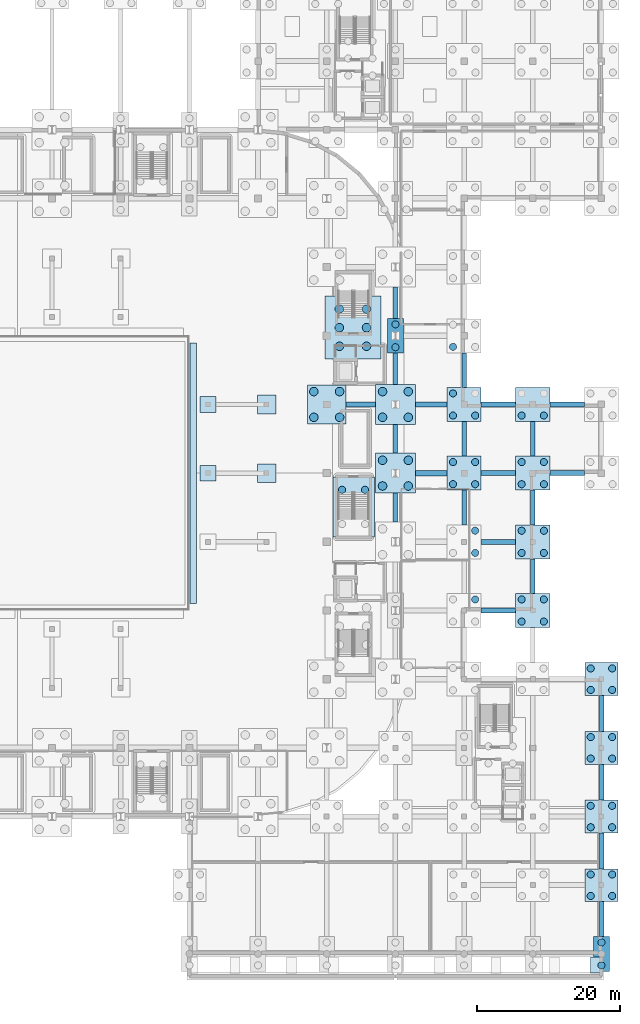
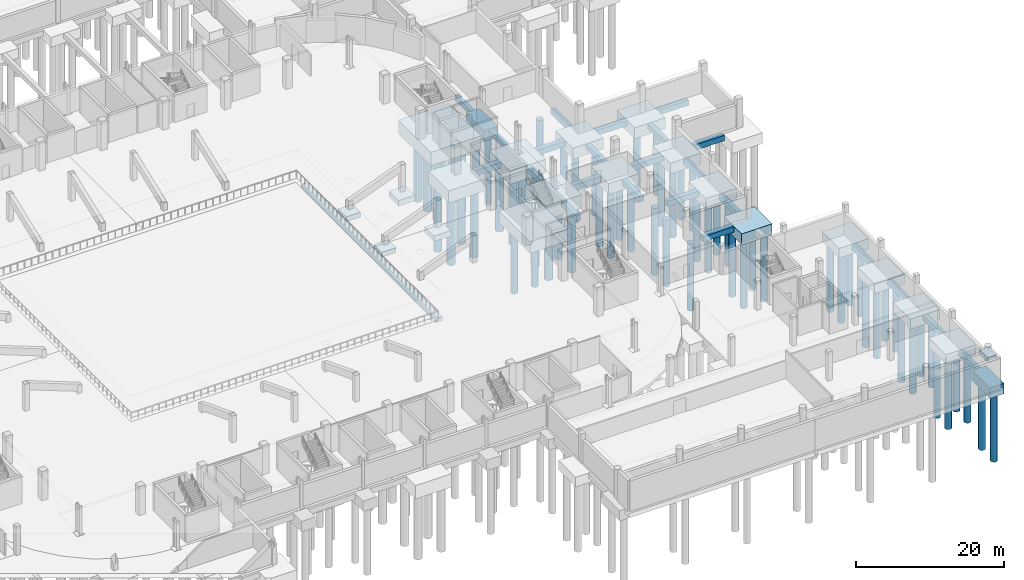
# One storey, part 8 of 67: 65 piles, 46 footings.
"""IFC4 building model written with IfcOpenShell, lengths in metres."""

from ifc_helpers import new_model, si_unit, direction, frame, origin, origin_2d, place, context, subcontext, project, spatial, polyline, rectangle, circle, outline, extrude, material, material_profile, profile_set, type_object, element, save


model = new_model("IFC4")

# Units and contexts
model_context = context("Model", 3, precision=1e-05, world=origin(), true_north=direction((0.0, 1.0)))
body_context = subcontext(model_context, "Body", "Model", "MODEL_VIEW")
ifc_project = project(units=[si_unit("LENGTHUNIT", "METRE"), si_unit("AREAUNIT", "SQUARE_METRE"), si_unit("VOLUMEUNIT", "CUBIC_METRE"), si_unit("PLANEANGLEUNIT", "RADIAN"), si_unit("MASSUNIT", "GRAM", prefix="KILO")], contexts=[model_context])

# Site, building, storey
site_placement = place(None, origin())
site = spatial("IfcSite", under=ifc_project, at=site_placement, CompositionType="ELEMENT")
building_placement = place(site_placement, origin())
building = spatial("IfcBuilding", under=site, at=building_placement, Name="Caelomonte Colonnade Arena", CompositionType="ELEMENT")
storey_placement = place(building_placement, frame((0.0, 0.0, -4.800048828125)))
storey = spatial("IfcBuildingStorey", under=building, at=storey_placement, Name="B1", CompositionType="ELEMENT", Elevation=-4.800048828125)

# Footings
ifc_material = material(Name="Concrete C40/50", Category="concrete")
footing_type_1 = type_object("IfcFootingType", Name="STR-FB-GB01", PredefinedType="FOOTING_BEAM", material=ifc_material)
footing_1_placement = place(storey_placement, frame((0.0, 0.0, -1.39990234375)))
element("IfcFooting", 1, at=footing_1_placement, inside=storey, type_object=footing_type_1, Name="Ground tie beam X (163.2..172.8, Y=67.2)", PredefinedType="FOOTING_BEAM", context=body_context, shape_type="SweptSolid", body=[
    extrude(outline(polyline([(166.0, 66.824951171875), (170.419921875, 66.824951171875), (170.419921875, 67.574951171875), (166.0, 67.574951171875), (166.0, 66.824951171875)])), origin(), (0.0, 0.0, 1.0), 0.949951171875),
])
footing_2_placement = place(storey_placement, frame((0.0, 0.0, -1.39990234375)))
element("IfcFooting", 2, at=footing_2_placement, inside=storey, type_object=footing_type_1, Name="Ground tie beam X (153.6..163.2, Y=76.8)", PredefinedType="FOOTING_BEAM", context=body_context, shape_type="SweptSolid", body=[
    extrude(outline(polyline([(156.300048828125, 76.425048828125), (160.39990234375, 76.425048828125), (160.39990234375, 77.175048828125), (156.300048828125, 77.175048828125), (156.300048828125, 76.425048828125)])), origin(), (0.0, 0.0, 1.0), 0.949951171875),
])
footing_3_placement = place(storey_placement, frame((0.0, 0.0, -1.39990234375)))
element("IfcFooting", 3, at=footing_3_placement, inside=storey, type_object=footing_type_1, Name="Ground tie beam X (163.2..172.8, Y=76.8)", PredefinedType="FOOTING_BEAM", context=body_context, shape_type="SweptSolid", body=[
    extrude(outline(polyline([(166.0, 76.425048828125), (170.419921875, 76.425048828125), (170.419921875, 77.175048828125), (166.0, 77.175048828125), (166.0, 76.425048828125)])), origin(), (0.0, 0.0, 1.0), 0.949951171875),
])
footing_type_2 = type_object("IfcFootingType", Name="STR-FB-GB02", PredefinedType="FOOTING_BEAM", material=ifc_material)
footing_4_placement = place(storey_placement, frame((0.0, 0.0, -1.349853515625)))
element("IfcFooting", 4, at=footing_4_placement, inside=storey, type_object=footing_type_2, Name="Ground tie beam X (172.8..182.4, Y=48.0)", PredefinedType="FOOTING_BEAM", context=body_context, shape_type="SweptSolid", body=[
    extrude(outline(polyline([(175.179931640625, 47.64990234375), (180.02001953125, 47.64990234375), (180.02001953125, 48.35009765625), (175.179931640625, 48.35009765625), (175.179931640625, 47.64990234375)])), origin(), (0.0, 0.0, 1.0), 0.89990234375),
])
footing_5_placement = place(storey_placement, frame((0.0, 0.0, -1.349853515625)))
element("IfcFooting", 5, at=footing_5_placement, inside=storey, type_object=footing_type_2, Name="Ground tie beam X (172.8..182.4, Y=57.6)", PredefinedType="FOOTING_BEAM", context=body_context, shape_type="SweptSolid", body=[
    extrude(outline(polyline([(175.179931640625, 57.25), (180.02001953125, 57.25), (180.02001953125, 57.949951171875), (175.179931640625, 57.949951171875), (175.179931640625, 57.25)])), origin(), (0.0, 0.0, 1.0), 0.89990234375),
])
footing_6_placement = place(storey_placement, frame((0.0, 0.0, -1.349853515625)))
element("IfcFooting", 6, at=footing_6_placement, inside=storey, type_object=footing_type_2, Name="Ground tie beam X (172.8..182.4, Y=67.2)", PredefinedType="FOOTING_BEAM", context=body_context, shape_type="SweptSolid", body=[
    extrude(outline(polyline([(175.179931640625, 66.85009765625), (180.02001953125, 66.85009765625), (180.02001953125, 67.550048828125), (175.179931640625, 67.550048828125), (175.179931640625, 66.85009765625)])), origin(), (0.0, 0.0, 1.0), 0.89990234375),
])
footing_7_placement = place(storey_placement, frame((0.0, 0.0, -1.349853515625)))
element("IfcFooting", 7, at=footing_7_placement, inside=storey, type_object=footing_type_2, Name="Ground tie beam X (182.4..192.0, Y=67.2)", PredefinedType="FOOTING_BEAM", context=body_context, shape_type="SweptSolid", body=[
    extrude(outline(polyline([(184.780029296875, 66.85009765625), (189.6201171875, 66.85009765625), (189.6201171875, 67.550048828125), (184.780029296875, 67.550048828125), (184.780029296875, 66.85009765625)])), origin(), (0.0, 0.0, 1.0), 0.89990234375),
])
footing_8_placement = place(storey_placement, frame((0.0, 0.0, -1.349853515625)))
element("IfcFooting", 8, at=footing_8_placement, inside=storey, type_object=footing_type_2, Name="Ground tie beam X (172.8..182.4, Y=76.8)", PredefinedType="FOOTING_BEAM", context=body_context, shape_type="SweptSolid", body=[
    extrude(outline(polyline([(175.179931640625, 76.449951171875), (180.02001953125, 76.449951171875), (180.02001953125, 77.14990234375), (175.179931640625, 77.14990234375), (175.179931640625, 76.449951171875)])), origin(), (0.0, 0.0, 1.0), 0.89990234375),
])
footing_9_placement = place(storey_placement, frame((0.0, 0.0, -1.349853515625)))
element("IfcFooting", 9, at=footing_9_placement, inside=storey, type_object=footing_type_2, Name="Ground tie beam X (182.4..192.0, Y=76.8)", PredefinedType="FOOTING_BEAM", context=body_context, shape_type="SweptSolid", body=[
    extrude(outline(polyline([(184.780029296875, 76.449951171875), (189.6201171875, 76.449951171875), (189.6201171875, 77.14990234375), (184.780029296875, 77.14990234375), (184.780029296875, 76.449951171875)])), origin(), (0.0, 0.0, 1.0), 0.89990234375),
])
footing_type_3 = type_object("IfcFootingType", Name="STR-FB-GB03", PredefinedType="FOOTING_BEAM", material=ifc_material)
footing_10_placement = place(storey_placement, frame((0.0, 0.0, -1.300048828125)))
element("IfcFooting", 10, at=footing_10_placement, inside=storey, type_object=footing_type_3, Name="Ground tie beam Y (X=163.2, 57.6..67.2)", PredefinedType="FOOTING_BEAM", context=body_context, shape_type="SweptSolid", body=[
    extrude(outline(polyline([(162.875, 60.39990234375), (163.52490234375, 60.39990234375), (163.52490234375, 64.39990234375), (162.875, 64.39990234375), (162.875, 60.39990234375)])), origin(), (0.0, 0.0, 1.0), 0.85009765625),
])
footing_11_placement = place(storey_placement, frame((0.0, 0.0, -1.300048828125)))
element("IfcFooting", 11, at=footing_11_placement, inside=storey, type_object=footing_type_3, Name="Ground tie beam Y (X=163.2, 67.2..76.8)", PredefinedType="FOOTING_BEAM", context=body_context, shape_type="SweptSolid", body=[
    extrude(outline(polyline([(162.875, 70.0), (163.52490234375, 70.0), (163.52490234375, 74.0), (162.875, 74.0), (162.875, 70.0)])), origin(), (0.0, 0.0, 1.0), 0.85009765625),
])
footing_12_placement = place(storey_placement, frame((0.0, 0.0, -1.300048828125)))
element("IfcFooting", 12, at=footing_12_placement, inside=storey, type_object=footing_type_3, Name="Ground tie beam Y (X=163.2, 76.8..86.4)", PredefinedType="FOOTING_BEAM", context=body_context, shape_type="SweptSolid", body=[
    extrude(outline(polyline([(162.875, 79.60009765625), (163.52490234375, 79.60009765625), (163.52490234375, 83.9599609375), (162.875, 83.9599609375), (162.875, 79.60009765625)])), origin(), (0.0, 0.0, 1.0), 0.85009765625),
])
footing_13_placement = place(storey_placement, frame((0.0, 0.0, -1.300048828125)))
element("IfcFooting", 13, at=footing_13_placement, inside=storey, type_object=footing_type_3, Name="Ground tie beam Y (X=163.2, 86.4..96.0)", PredefinedType="FOOTING_BEAM", context=body_context, shape_type="SweptSolid", body=[
    extrude(outline(polyline([(162.875, 88.840087890625), (163.52490234375, 88.840087890625), (163.52490234375, 93.199951171875), (162.875, 93.199951171875), (162.875, 88.840087890625)])), origin(), (0.0, 0.0, 1.0), 0.85009765625),
])
footing_14_placement = place(storey_placement, frame((0.0, 0.0, -1.300048828125)))
element("IfcFooting", 14, at=footing_14_placement, inside=storey, type_object=footing_type_3, Name="Ground tie beam Y (X=172.8, 57.6..67.2)", PredefinedType="FOOTING_BEAM", context=body_context, shape_type="SweptSolid", body=[
    extrude(outline(polyline([(172.47509765625, 59.97998046875), (173.125, 59.97998046875), (173.125, 64.820068359375), (172.47509765625, 64.820068359375), (172.47509765625, 59.97998046875)])), origin(), (0.0, 0.0, 1.0), 0.85009765625),
])
footing_15_placement = place(storey_placement, frame((0.0, 0.0, -1.300048828125)))
element("IfcFooting", 15, at=footing_15_placement, inside=storey, type_object=footing_type_3, Name="Ground tie beam Y (X=172.8, 67.2..76.8)", PredefinedType="FOOTING_BEAM", context=body_context, shape_type="SweptSolid", body=[
    extrude(outline(polyline([(172.47509765625, 69.580078125), (173.125, 69.580078125), (173.125, 74.419921875), (172.47509765625, 74.419921875), (172.47509765625, 69.580078125)])), origin(), (0.0, 0.0, 1.0), 0.85009765625),
])
footing_16_placement = place(storey_placement, frame((0.0, 0.0, -1.300048828125)))
element("IfcFooting", 16, at=footing_16_placement, inside=storey, type_object=footing_type_3, Name="Ground tie beam Y (X=172.8, 76.8..86.4)", PredefinedType="FOOTING_BEAM", context=body_context, shape_type="SweptSolid", body=[
    extrude(outline(polyline([(172.47509765625, 79.179931640625), (173.125, 79.179931640625), (173.125, 84.02001953125), (172.47509765625, 84.02001953125), (172.47509765625, 79.179931640625)])), origin(), (0.0, 0.0, 1.0), 0.85009765625),
])
footing_17_placement = place(storey_placement, frame((0.0, 0.0, -1.300048828125)))
element("IfcFooting", 17, at=footing_17_placement, inside=storey, type_object=footing_type_3, Name="Ground tie beam Y (X=182.4, 48.0..57.6)", PredefinedType="FOOTING_BEAM", context=body_context, shape_type="SweptSolid", body=[
    extrude(outline(polyline([(182.074951171875, 50.3798828125), (182.72509765625, 50.3798828125), (182.72509765625, 55.219970703125), (182.074951171875, 55.219970703125), (182.074951171875, 50.3798828125)])), origin(), (0.0, 0.0, 1.0), 0.85009765625),
])
footing_18_placement = place(storey_placement, frame((0.0, 0.0, -1.300048828125)))
element("IfcFooting", 18, at=footing_18_placement, inside=storey, type_object=footing_type_3, Name="Ground tie beam Y (X=182.4, 57.6..67.2)", PredefinedType="FOOTING_BEAM", context=body_context, shape_type="SweptSolid", body=[
    extrude(outline(polyline([(182.074951171875, 59.97998046875), (182.72509765625, 59.97998046875), (182.72509765625, 64.820068359375), (182.074951171875, 64.820068359375), (182.074951171875, 59.97998046875)])), origin(), (0.0, 0.0, 1.0), 0.85009765625),
])
footing_19_placement = place(storey_placement, frame((0.0, 0.0, -1.300048828125)))
element("IfcFooting", 19, at=footing_19_placement, inside=storey, type_object=footing_type_3, Name="Ground tie beam Y (X=182.4, 67.2..76.8)", PredefinedType="FOOTING_BEAM", context=body_context, shape_type="SweptSolid", body=[
    extrude(outline(polyline([(182.074951171875, 69.580078125), (182.72509765625, 69.580078125), (182.72509765625, 74.419921875), (182.074951171875, 74.419921875), (182.074951171875, 69.580078125)])), origin(), (0.0, 0.0, 1.0), 0.85009765625),
])
footing_20_placement = place(storey_placement, frame((0.0, 0.0, -1.300048828125)))
element("IfcFooting", 20, at=footing_20_placement, inside=storey, type_object=footing_type_3, Name="Ground tie beam Y (X=192.0, 0.0..9.6)", PredefinedType="FOOTING_BEAM", context=body_context, shape_type="SweptSolid", body=[
    extrude(outline(polyline([(191.675048828125, 2.43994140625), (192.324951171875, 2.43994140625), (192.324951171875, 7.300048828125), (191.675048828125, 7.300048828125), (191.675048828125, 2.43994140625)])), origin(), (0.0, 0.0, 1.0), 0.85009765625),
])
footing_21_placement = place(storey_placement, frame((0.0, 0.0, -1.300048828125)))
element("IfcFooting", 21, at=footing_21_placement, inside=storey, type_object=footing_type_3, Name="Ground tie beam Y (X=192.0, 9.6..19.2)", PredefinedType="FOOTING_BEAM", context=body_context, shape_type="SweptSolid", body=[
    extrude(outline(polyline([(191.675048828125, 11.89990234375), (192.324951171875, 11.89990234375), (192.324951171875, 16.89990234375), (191.675048828125, 16.89990234375), (191.675048828125, 11.89990234375)])), origin(), (0.0, 0.0, 1.0), 0.85009765625),
])
footing_22_placement = place(storey_placement, frame((0.0, 0.0, -1.300048828125)))
element("IfcFooting", 22, at=footing_22_placement, inside=storey, type_object=footing_type_3, Name="Ground tie beam Y (X=192.0, 19.2..28.8)", PredefinedType="FOOTING_BEAM", context=body_context, shape_type="SweptSolid", body=[
    extrude(outline(polyline([(191.675048828125, 21.5), (192.324951171875, 21.5), (192.324951171875, 26.5), (191.675048828125, 26.5), (191.675048828125, 21.5)])), origin(), (0.0, 0.0, 1.0), 0.85009765625),
])
footing_23_placement = place(storey_placement, frame((0.0, 0.0, -1.300048828125)))
element("IfcFooting", 23, at=footing_23_placement, inside=storey, type_object=footing_type_3, Name="Ground tie beam Y (X=192.0, 28.8..38.4)", PredefinedType="FOOTING_BEAM", context=body_context, shape_type="SweptSolid", body=[
    extrude(outline(polyline([(191.675048828125, 31.10009765625), (192.324951171875, 31.10009765625), (192.324951171875, 36.10009765625), (191.675048828125, 36.10009765625), (191.675048828125, 31.10009765625)])), origin(), (0.0, 0.0, 1.0), 0.85009765625),
])
footing_type_4 = type_object("IfcFootingType", Name="STR-FC-PC01", PredefinedType="PILE_CAP", material=ifc_material)
for number, where, z_axis, x_axis, name in (
    (24, (163.199951171875, 67.199951171875, -2.64990234375), (0.0, 0.0, 1.0), (1.0, 0.0, 0.0), "Pile cap FC-1632-0672"),
    (25, (163.199951171875, 76.800048828125, -2.64990234375), (0.0, 0.0, 1.0), (1.0, 0.0, 0.0), "Pile cap FC-1632-0768"),
):
    element("IfcFooting", number, at=place(storey_placement, frame(where, z_axis=z_axis, x_axis=x_axis)), inside=storey, type_object=footing_type_4, Name=name, PredefinedType="PILE_CAP", context=body_context, shape_type="SweptSolid", body=[
        extrude(rectangle(XDim=5.60009765625, YDim=5.60009765625, at=origin_2d()), origin(), (0.0, 0.0, 1.0), 2.199951171875),
    ])
footing_type_5 = type_object("IfcFootingType", Name="STR-FC-PC02", PredefinedType="PILE_CAP", material=ifc_material)
footing_24_placement = place(storey_placement, frame((153.60009765625, 76.800048828125, -2.449951171875), z_axis=(0.0, 0.0, 1.0), x_axis=(1.0, 0.0, 0.0)))
element("IfcFooting", 26, at=footing_24_placement, inside=storey, type_object=footing_type_5, Name="Pile cap FC-1536-0768", PredefinedType="PILE_CAP", context=body_context, shape_type="SweptSolid", body=[
    extrude(rectangle(XDim=5.39990234375, YDim=5.39990234375, at=origin_2d()), origin(), (0.0, 0.0, 1.0), 2.0),
])
footing_type_6 = type_object("IfcFootingType", Name="STR-FC-PC04", PredefinedType="PILE_CAP", material=ifc_material)
for number, where, z_axis, x_axis, name in (
    (27, (172.800048828125, 67.199951171875, -2.25), (0.0, 0.0, 1.0), (1.0, 0.0, 0.0), "Pile cap FC-1728-0672"),
    (28, (172.800048828125, 76.800048828125, -2.25), (0.0, 0.0, 1.0), (1.0, 0.0, 0.0), "Pile cap FC-1728-0768"),
    (29, (182.39990234375, 48.0, -2.25), (0.0, 0.0, 1.0), (1.0, 0.0, 0.0), "Pile cap FC-1824-0480"),
    (30, (182.39990234375, 57.60009765625, -2.25), (0.0, 0.0, 1.0), (1.0, 0.0, 0.0), "Pile cap FC-1824-0576"),
    (31, (182.39990234375, 67.199951171875, -2.25), (0.0, 0.0, 1.0), (1.0, 0.0, 0.0), "Pile cap FC-1824-0672"),
    (32, (182.39990234375, 76.800048828125, -2.25), (0.0, 0.0, 1.0), (1.0, 0.0, 0.0), "Pile cap FC-1824-0768"),
):
    element("IfcFooting", number, at=place(storey_placement, frame(where, z_axis=z_axis, x_axis=x_axis)), inside=storey, type_object=footing_type_6, Name=name, PredefinedType="PILE_CAP", context=body_context, shape_type="SweptSolid", body=[
        extrude(rectangle(XDim=4.760009765625, YDim=4.760009765625, at=origin_2d()), origin(), (0.0, 0.0, 1.0), 1.800048828125),
    ])
footing_type_7 = type_object("IfcFootingType", Name="STR-FC-PC07", PredefinedType="PILE_CAP", material=ifc_material)
for number, where, z_axis, x_axis, name in (
    (33, (163.199951171875, 86.39990234375, -2.14990234375), (0.0, 0.0, 1.0), (1.0, 0.0, 0.0), "Pile cap FC-1632-0864"),
    (34, (192.0, 0.0, -2.14990234375), (0.0, 0.0, 1.0), (1.0, 0.0, 0.0), "Pile cap FC-1920-0000"),
):
    element("IfcFooting", number, at=place(storey_placement, frame(where, z_axis=z_axis, x_axis=x_axis)), inside=storey, type_object=footing_type_7, Name=name, PredefinedType="PILE_CAP", context=body_context, shape_type="SweptSolid", body=[
        extrude(rectangle(XDim=2.199951171875, YDim=4.8798828125, at=origin_2d()), origin(), (0.0, 0.0, 1.0), 1.699951171875),
    ])
footing_type_8 = type_object("IfcFootingType", Name="STR-FC-PC09", PredefinedType="PILE_CAP", material=ifc_material)
for number, where, z_axis, x_axis, name in (
    (35, (192.0, 9.60009765625, -2.050048828125), (0.0, 0.0, 1.0), (1.0, 0.0, 0.0), "Pile cap FC-1920-0096"),
    (36, (192.0, 19.199951171875, -2.050048828125), (0.0, 0.0, 1.0), (1.0, 0.0, 0.0), "Pile cap FC-1920-0192"),
    (37, (192.0, 28.800048828125, -2.050048828125), (0.0, 0.0, 1.0), (1.0, 0.0, 0.0), "Pile cap FC-1920-0288"),
    (38, (192.0, 38.39990234375, -2.050048828125), (0.0, 0.0, 1.0), (1.0, 0.0, 0.0), "Pile cap FC-1920-0384"),
):
    element("IfcFooting", number, at=place(storey_placement, frame(where, z_axis=z_axis, x_axis=x_axis)), inside=storey, type_object=footing_type_8, Name=name, PredefinedType="PILE_CAP", context=body_context, shape_type="SweptSolid", body=[
        extrude(rectangle(XDim=4.60009765625, YDim=4.60009765625, at=origin_2d()), origin(), (0.0, 0.0, 1.0), 1.60009765625),
    ])
footing_type_9 = type_object("IfcFootingType", Name="STR-FC-PC10", PredefinedType="PILE_CAP", material=ifc_material)
footing_25_placement = place(storey_placement, frame((157.262451171875, 87.53759765625, -2.64990234375), z_axis=(0.0, 0.0, 1.0), x_axis=(1.0, 0.0, 0.0)))
element("IfcFooting", 39, at=footing_25_placement, inside=storey, type_object=footing_type_9, Name="Core C3 pile cap", PredefinedType="PILE_CAP", context=body_context, shape_type="SweptSolid", body=[
    extrude(rectangle(XDim=7.800048828125, YDim=8.800048828125, at=origin_2d()), origin(), (0.0, 0.0, 1.0), 2.199951171875),
])
footing_type_10 = type_object("IfcFootingType", Name="STR-FC-PC12", PredefinedType="PILE_CAP", material=ifc_material)
footing_26_placement = place(storey_placement, frame((157.35009765625, 62.47509765625, -2.349853515625), z_axis=(0.0, 0.0, 1.0), x_axis=(1.0, 0.0, 0.0)))
element("IfcFooting", 40, at=footing_26_placement, inside=storey, type_object=footing_type_10, Name="Exit stair ST-10 pile cap", PredefinedType="PILE_CAP", context=body_context, shape_type="SweptSolid", body=[
    extrude(rectangle(XDim=5.800048828125, YDim=8.39990234375, at=origin_2d()), origin(), (0.0, 0.0, 1.0), 1.89990234375),
])
footing_type_11 = type_object("IfcFootingType", Name="STR-FD-PF01", PredefinedType="PAD_FOOTING", material=ifc_material)
for number, where, z_axis, x_axis, name in (
    (41, (145.199951171875, 67.199951171875, -1.349853515625), (0.0, 0.0, 1.0), (1.0, 0.0, 0.0), "Raker mid pier footing E-67"),
    (42, (145.199951171875, 76.800048828125, -1.349853515625), (0.0, 0.0, 1.0), (1.0, 0.0, 0.0), "Raker mid pier footing E-76"),
):
    element("IfcFooting", number, at=place(storey_placement, frame(where, z_axis=z_axis, x_axis=x_axis)), inside=storey, type_object=footing_type_11, Name=name, PredefinedType="PAD_FOOTING", context=body_context, shape_type="SweptSolid", body=[
        extrude(rectangle(XDim=2.60009765625, YDim=2.60009765625, at=origin_2d()), origin(), (0.0, 0.0, 1.0), 0.89990234375),
    ])
footing_type_12 = type_object("IfcFootingType", Name="STR-FD-PF02", PredefinedType="PAD_FOOTING", material=ifc_material)
for number, where, z_axis, x_axis, name in (
    (43, (137.0, 67.199951171875, -1.25), (0.0, 0.0, 1.0), (1.0, 0.0, 0.0), "Raker inner pier footing E-67"),
    (44, (137.0, 76.800048828125, -1.25), (0.0, 0.0, 1.0), (1.0, 0.0, 0.0), "Raker inner pier footing E-76"),
):
    element("IfcFooting", number, at=place(storey_placement, frame(where, z_axis=z_axis, x_axis=x_axis)), inside=storey, type_object=footing_type_12, Name=name, PredefinedType="PAD_FOOTING", context=body_context, shape_type="SweptSolid", body=[
        extrude(rectangle(XDim=2.199951171875, YDim=2.199951171875, at=origin_2d()), origin(), (0.0, 0.0, 1.0), 0.800048828125),
    ])
footing_27_placement = place(storey_placement, frame((191.14990234375, -1.550048828125, 4.02001953125), z_axis=(0.0, 0.0, 1.0), x_axis=(1.0, 0.0, 0.0)))
element("IfcFooting", 45, at=footing_27_placement, inside=storey, type_object=footing_type_12, Name="Accessible ramp PR-05 head footing", PredefinedType="PAD_FOOTING", context=body_context, shape_type="SweptSolid", body=[
    extrude(rectangle(XDim=1.39990234375, YDim=2.199951171875, at=origin_2d()), origin(), (0.0, 0.0, 1.0), 0.800048828125),
])
footing_type_13 = type_object("IfcFootingType", Name="STR-FD-SF02", PredefinedType="STRIP_FOOTING", material=ifc_material)
footing_28_placement = place(storey_placement, frame((0.0, 0.0, -1.14990234375)))
element("IfcFooting", 46, at=footing_28_placement, inside=storey, type_object=footing_type_13, Name="Bowl perimeter strip footing SF-E1", PredefinedType="STRIP_FOOTING", context=body_context, shape_type="SweptSolid", body=[
    extrude(outline(polyline([(134.47509765625, 49.0), (135.425048828125, 49.0), (135.425048828125, 85.39990234375), (134.47509765625, 85.39990234375), (134.47509765625, 49.0)])), origin(), (0.0, 0.0, 1.0), 0.699951171875),
])

# Piles
ifc_material_profile_1 = material_profile(ifc_material, circle(Radius=0.5, at=origin_2d()), Name="PILE-D1000")
ifc_profile_set_1 = profile_set([ifc_material_profile_1], Name="Concrete C40/50")
pile_type_1 = type_object("IfcPileType", Name="STR-PL-D1000", PredefinedType="BORED", material=ifc_profile_set_1)
for number, where, z_axis, x_axis, name in (
    (47, (155.75, 64.875, -2.25), (0.0, 0.0, -1.0), (1.0, 0.0, 0.0), "Stair ST-10 rock-socketed pile 2"),
    (48, (158.949951171875, 64.875, -2.25), (0.0, 0.0, -1.0), (1.0, 0.0, 0.0), "Stair ST-10 rock-socketed pile 4"),
):
    element("IfcPile", number, at=place(storey_placement, frame(where, z_axis=z_axis, x_axis=x_axis)), inside=storey, type_object=pile_type_1, Name=name, PredefinedType="BORED", context=body_context, shape_type="SweptSolid", body=[
        extrude(circle(Radius=0.5, at=origin_2d()), origin(), (0.0, 0.0, 1.0), 10.949951171875),
    ])
for number, where, z_axis, x_axis, name in (
    (49, (163.199951171875, 84.800048828125, -2.050048828125), (0.0, 0.0, -1.0), (1.0, 0.0, 0.0), "Rock-socketed bored pile FC-1632-0864-1"),
    (50, (163.199951171875, 88.0, -2.050048828125), (0.0, 0.0, -1.0), (1.0, 0.0, 0.0), "Rock-socketed bored pile FC-1632-0864-2"),
):
    element("IfcPile", number, at=place(storey_placement, frame(where, z_axis=z_axis, x_axis=x_axis)), inside=storey, type_object=pile_type_1, Name=name, PredefinedType="BORED", context=body_context, shape_type="SweptSolid", body=[
        extrude(circle(Radius=0.5, at=origin_2d()), origin(), (0.0, 0.0, 1.0), 11.14990234375),
    ])
for number, where, z_axis, x_axis, name in (
    (51, (174.35009765625, 49.550048828125, -2.14990234375), (0.0, 0.0, -1.0), (1.0, 0.0, 0.0), "Rock-socketed bored pile FC-1728-0480-4"),
    (52, (174.35009765625, 56.050048828125, -2.14990234375), (0.0, 0.0, -1.0), (1.0, 0.0, 0.0), "Rock-socketed bored pile FC-1728-0576-2"),
    (53, (174.35009765625, 59.14990234375, -2.14990234375), (0.0, 0.0, -1.0), (1.0, 0.0, 0.0), "Rock-socketed bored pile FC-1728-0576-4"),
    (54, (171.25, 65.64990234375, -2.14990234375), (0.0, 0.0, -1.0), (1.0, 0.0, 0.0), "Rock-socketed bored pile FC-1728-0672-1"),
    (55, (174.35009765625, 65.64990234375, -2.14990234375), (0.0, 0.0, -1.0), (1.0, 0.0, 0.0), "Rock-socketed bored pile FC-1728-0672-2"),
    (56, (171.25, 68.75, -2.14990234375), (0.0, 0.0, -1.0), (1.0, 0.0, 0.0), "Rock-socketed bored pile FC-1728-0672-3"),
    (57, (174.35009765625, 68.75, -2.14990234375), (0.0, 0.0, -1.0), (1.0, 0.0, 0.0), "Rock-socketed bored pile FC-1728-0672-4"),
    (58, (171.25, 75.25, -2.14990234375), (0.0, 0.0, -1.0), (1.0, 0.0, 0.0), "Rock-socketed bored pile FC-1728-0768-1"),
    (59, (174.35009765625, 75.25, -2.14990234375), (0.0, 0.0, -1.0), (1.0, 0.0, 0.0), "Rock-socketed bored pile FC-1728-0768-2"),
    (60, (171.25, 78.35009765625, -2.14990234375), (0.0, 0.0, -1.0), (1.0, 0.0, 0.0), "Rock-socketed bored pile FC-1728-0768-3"),
    (61, (171.25, 84.85009765625, -2.14990234375), (0.0, 0.0, -1.0), (1.0, 0.0, 0.0), "Rock-socketed bored pile FC-1728-0864-1"),
    (62, (180.85009765625, 46.449951171875, -2.14990234375), (0.0, 0.0, -1.0), (1.0, 0.0, 0.0), "Rock-socketed bored pile FC-1824-0480-1"),
    (63, (183.949951171875, 46.449951171875, -2.14990234375), (0.0, 0.0, -1.0), (1.0, 0.0, 0.0), "Rock-socketed bored pile FC-1824-0480-2"),
    (64, (180.85009765625, 49.550048828125, -2.14990234375), (0.0, 0.0, -1.0), (1.0, 0.0, 0.0), "Rock-socketed bored pile FC-1824-0480-3"),
    (65, (183.949951171875, 49.550048828125, -2.14990234375), (0.0, 0.0, -1.0), (1.0, 0.0, 0.0), "Rock-socketed bored pile FC-1824-0480-4"),
    (66, (180.85009765625, 56.050048828125, -2.14990234375), (0.0, 0.0, -1.0), (1.0, 0.0, 0.0), "Rock-socketed bored pile FC-1824-0576-1"),
    (67, (183.949951171875, 56.050048828125, -2.14990234375), (0.0, 0.0, -1.0), (1.0, 0.0, 0.0), "Rock-socketed bored pile FC-1824-0576-2"),
    (68, (180.85009765625, 59.14990234375, -2.14990234375), (0.0, 0.0, -1.0), (1.0, 0.0, 0.0), "Rock-socketed bored pile FC-1824-0576-3"),
    (69, (183.949951171875, 59.14990234375, -2.14990234375), (0.0, 0.0, -1.0), (1.0, 0.0, 0.0), "Rock-socketed bored pile FC-1824-0576-4"),
    (70, (180.85009765625, 65.64990234375, -2.14990234375), (0.0, 0.0, -1.0), (1.0, 0.0, 0.0), "Rock-socketed bored pile FC-1824-0672-1"),
    (71, (183.949951171875, 65.64990234375, -2.14990234375), (0.0, 0.0, -1.0), (1.0, 0.0, 0.0), "Rock-socketed bored pile FC-1824-0672-2"),
    (72, (180.85009765625, 68.75, -2.14990234375), (0.0, 0.0, -1.0), (1.0, 0.0, 0.0), "Rock-socketed bored pile FC-1824-0672-3"),
    (73, (183.949951171875, 68.75, -2.14990234375), (0.0, 0.0, -1.0), (1.0, 0.0, 0.0), "Rock-socketed bored pile FC-1824-0672-4"),
    (74, (180.85009765625, 75.25, -2.14990234375), (0.0, 0.0, -1.0), (1.0, 0.0, 0.0), "Rock-socketed bored pile FC-1824-0768-1"),
    (75, (183.949951171875, 75.25, -2.14990234375), (0.0, 0.0, -1.0), (1.0, 0.0, 0.0), "Rock-socketed bored pile FC-1824-0768-2"),
):
    element("IfcPile", number, at=place(storey_placement, frame(where, z_axis=z_axis, x_axis=x_axis)), inside=storey, type_object=pile_type_1, Name=name, PredefinedType="BORED", context=body_context, shape_type="SweptSolid", body=[
        extrude(circle(Radius=0.5, at=origin_2d()), origin(), (0.0, 0.0, 1.0), 11.050048828125),
    ])
for number, where, z_axis, x_axis, name in (
    (76, (192.0, -1.60009765625, -2.050048828125), (0.0, 0.0, -1.0), (1.0, 0.0, 0.0), "Rock-socketed bored pile FC-1920-0000-1"),
    (77, (192.0, 1.60009765625, -2.050048828125), (0.0, 0.0, -1.0), (1.0, 0.0, 0.0), "Rock-socketed bored pile FC-1920-0000-2"),
):
    element("IfcPile", number, at=place(storey_placement, frame(where, z_axis=z_axis, x_axis=x_axis)), inside=storey, type_object=pile_type_1, Name=name, PredefinedType="BORED", context=body_context, shape_type="SweptSolid", body=[
        extrude(circle(Radius=0.5, at=origin_2d()), origin(), (0.0, 0.0, 1.0), 11.14990234375),
    ])
for number, where, z_axis, x_axis, name in (
    (78, (190.5, 8.10009765625, -1.949951171875), (0.0, 0.0, -1.0), (1.0, 0.0, 0.0), "Rock-socketed bored pile FC-1920-0096-1"),
    (79, (193.5, 8.10009765625, -1.949951171875), (0.0, 0.0, -1.0), (1.0, 0.0, 0.0), "Rock-socketed bored pile FC-1920-0096-2"),
    (80, (190.5, 11.10009765625, -1.949951171875), (0.0, 0.0, -1.0), (1.0, 0.0, 0.0), "Rock-socketed bored pile FC-1920-0096-3"),
    (81, (193.5, 11.10009765625, -1.949951171875), (0.0, 0.0, -1.0), (1.0, 0.0, 0.0), "Rock-socketed bored pile FC-1920-0096-4"),
    (82, (190.5, 17.699951171875, -1.949951171875), (0.0, 0.0, -1.0), (1.0, 0.0, 0.0), "Rock-socketed bored pile FC-1920-0192-1"),
    (83, (193.5, 17.699951171875, -1.949951171875), (0.0, 0.0, -1.0), (1.0, 0.0, 0.0), "Rock-socketed bored pile FC-1920-0192-2"),
    (84, (190.5, 20.699951171875, -1.949951171875), (0.0, 0.0, -1.0), (1.0, 0.0, 0.0), "Rock-socketed bored pile FC-1920-0192-3"),
    (85, (193.5, 20.699951171875, -1.949951171875), (0.0, 0.0, -1.0), (1.0, 0.0, 0.0), "Rock-socketed bored pile FC-1920-0192-4"),
    (86, (190.5, 27.300048828125, -1.949951171875), (0.0, 0.0, -1.0), (1.0, 0.0, 0.0), "Rock-socketed bored pile FC-1920-0288-1"),
    (87, (193.5, 27.300048828125, -1.949951171875), (0.0, 0.0, -1.0), (1.0, 0.0, 0.0), "Rock-socketed bored pile FC-1920-0288-2"),
    (88, (190.5, 30.300048828125, -1.949951171875), (0.0, 0.0, -1.0), (1.0, 0.0, 0.0), "Rock-socketed bored pile FC-1920-0288-3"),
    (89, (193.5, 30.300048828125, -1.949951171875), (0.0, 0.0, -1.0), (1.0, 0.0, 0.0), "Rock-socketed bored pile FC-1920-0288-4"),
    (90, (190.5, 36.89990234375, -1.949951171875), (0.0, 0.0, -1.0), (1.0, 0.0, 0.0), "Rock-socketed bored pile FC-1920-0384-1"),
    (91, (193.5, 36.89990234375, -1.949951171875), (0.0, 0.0, -1.0), (1.0, 0.0, 0.0), "Rock-socketed bored pile FC-1920-0384-2"),
    (92, (190.5, 39.89990234375, -1.949951171875), (0.0, 0.0, -1.0), (1.0, 0.0, 0.0), "Rock-socketed bored pile FC-1920-0384-3"),
    (93, (193.5, 39.89990234375, -1.949951171875), (0.0, 0.0, -1.0), (1.0, 0.0, 0.0), "Rock-socketed bored pile FC-1920-0384-4"),
):
    element("IfcPile", number, at=place(storey_placement, frame(where, z_axis=z_axis, x_axis=x_axis)), inside=storey, type_object=pile_type_1, Name=name, PredefinedType="BORED", context=body_context, shape_type="SweptSolid", body=[
        extrude(circle(Radius=0.5, at=origin_2d()), origin(), (0.0, 0.0, 1.0), 11.25),
    ])
ifc_material_profile_2 = material_profile(ifc_material, circle(Radius=0.60009765625, at=origin_2d()), Name="PILE-D1200")
ifc_profile_set_2 = profile_set([ifc_material_profile_2], Name="Concrete C40/50")
pile_type_2 = type_object("IfcPileType", Name="STR-PL-D1200", PredefinedType="BORED", material=ifc_profile_set_2)
for number, where, z_axis, x_axis, name in (
    (94, (155.362548828125, 84.9375, -2.550048828125), (0.0, 0.0, -1.0), (1.0, 0.0, 0.0), "Core C3 rock-socketed pile 1"),
    (95, (155.362548828125, 87.53759765625, -2.550048828125), (0.0, 0.0, -1.0), (1.0, 0.0, 0.0), "Core C3 rock-socketed pile 2"),
    (96, (155.362548828125, 90.137451171875, -2.550048828125), (0.0, 0.0, -1.0), (1.0, 0.0, 0.0), "Core C3 rock-socketed pile 3"),
    (97, (159.16259765625, 84.9375, -2.550048828125), (0.0, 0.0, -1.0), (1.0, 0.0, 0.0), "Core C3 rock-socketed pile 4"),
    (98, (159.16259765625, 87.53759765625, -2.550048828125), (0.0, 0.0, -1.0), (1.0, 0.0, 0.0), "Core C3 rock-socketed pile 5"),
    (99, (159.16259765625, 90.137451171875, -2.550048828125), (0.0, 0.0, -1.0), (1.0, 0.0, 0.0), "Core C3 rock-socketed pile 6"),
):
    element("IfcPile", number, at=place(storey_placement, frame(where, z_axis=z_axis, x_axis=x_axis)), inside=storey, type_object=pile_type_2, Name=name, PredefinedType="BORED", context=body_context, shape_type="SweptSolid", body=[
        extrude(circle(Radius=0.60009765625, at=origin_2d()), origin(), (0.0, 0.0, 1.0), 10.64990234375),
    ])
for number, where, z_axis, x_axis, name in (
    (100, (151.800048828125, 75.0, -2.349853515625), (0.0, 0.0, -1.0), (1.0, 0.0, 0.0), "Rock-socketed bored pile FC-1536-0768-1"),
    (101, (155.39990234375, 75.0, -2.349853515625), (0.0, 0.0, -1.0), (1.0, 0.0, 0.0), "Rock-socketed bored pile FC-1536-0768-2"),
    (102, (151.800048828125, 78.60009765625, -2.349853515625), (0.0, 0.0, -1.0), (1.0, 0.0, 0.0), "Rock-socketed bored pile FC-1536-0768-3"),
    (103, (155.39990234375, 78.60009765625, -2.349853515625), (0.0, 0.0, -1.0), (1.0, 0.0, 0.0), "Rock-socketed bored pile FC-1536-0768-4"),
):
    element("IfcPile", number, at=place(storey_placement, frame(where, z_axis=z_axis, x_axis=x_axis)), inside=storey, type_object=pile_type_2, Name=name, PredefinedType="BORED", context=body_context, shape_type="SweptSolid", body=[
        extrude(circle(Radius=0.60009765625, at=origin_2d()), origin(), (0.0, 0.0, 1.0), 10.85009765625),
    ])
for number, where, z_axis, x_axis, name in (
    (104, (161.39990234375, 65.39990234375, -2.550048828125), (0.0, 0.0, -1.0), (1.0, 0.0, 0.0), "Rock-socketed bored pile FC-1632-0672-1"),
    (105, (165.0, 65.39990234375, -2.550048828125), (0.0, 0.0, -1.0), (1.0, 0.0, 0.0), "Rock-socketed bored pile FC-1632-0672-2"),
    (106, (161.39990234375, 69.0, -2.550048828125), (0.0, 0.0, -1.0), (1.0, 0.0, 0.0), "Rock-socketed bored pile FC-1632-0672-3"),
    (107, (165.0, 69.0, -2.550048828125), (0.0, 0.0, -1.0), (1.0, 0.0, 0.0), "Rock-socketed bored pile FC-1632-0672-4"),
    (108, (161.39990234375, 75.0, -2.550048828125), (0.0, 0.0, -1.0), (1.0, 0.0, 0.0), "Rock-socketed bored pile FC-1632-0768-1"),
    (109, (165.0, 75.0, -2.550048828125), (0.0, 0.0, -1.0), (1.0, 0.0, 0.0), "Rock-socketed bored pile FC-1632-0768-2"),
    (110, (161.39990234375, 78.60009765625, -2.550048828125), (0.0, 0.0, -1.0), (1.0, 0.0, 0.0), "Rock-socketed bored pile FC-1632-0768-3"),
    (111, (165.0, 78.60009765625, -2.550048828125), (0.0, 0.0, -1.0), (1.0, 0.0, 0.0), "Rock-socketed bored pile FC-1632-0768-4"),
):
    element("IfcPile", number, at=place(storey_placement, frame(where, z_axis=z_axis, x_axis=x_axis)), inside=storey, type_object=pile_type_2, Name=name, PredefinedType="BORED", context=body_context, shape_type="SweptSolid", body=[
        extrude(circle(Radius=0.60009765625, at=origin_2d()), origin(), (0.0, 0.0, 1.0), 10.64990234375),
    ])

save(model, "model.ifc")
